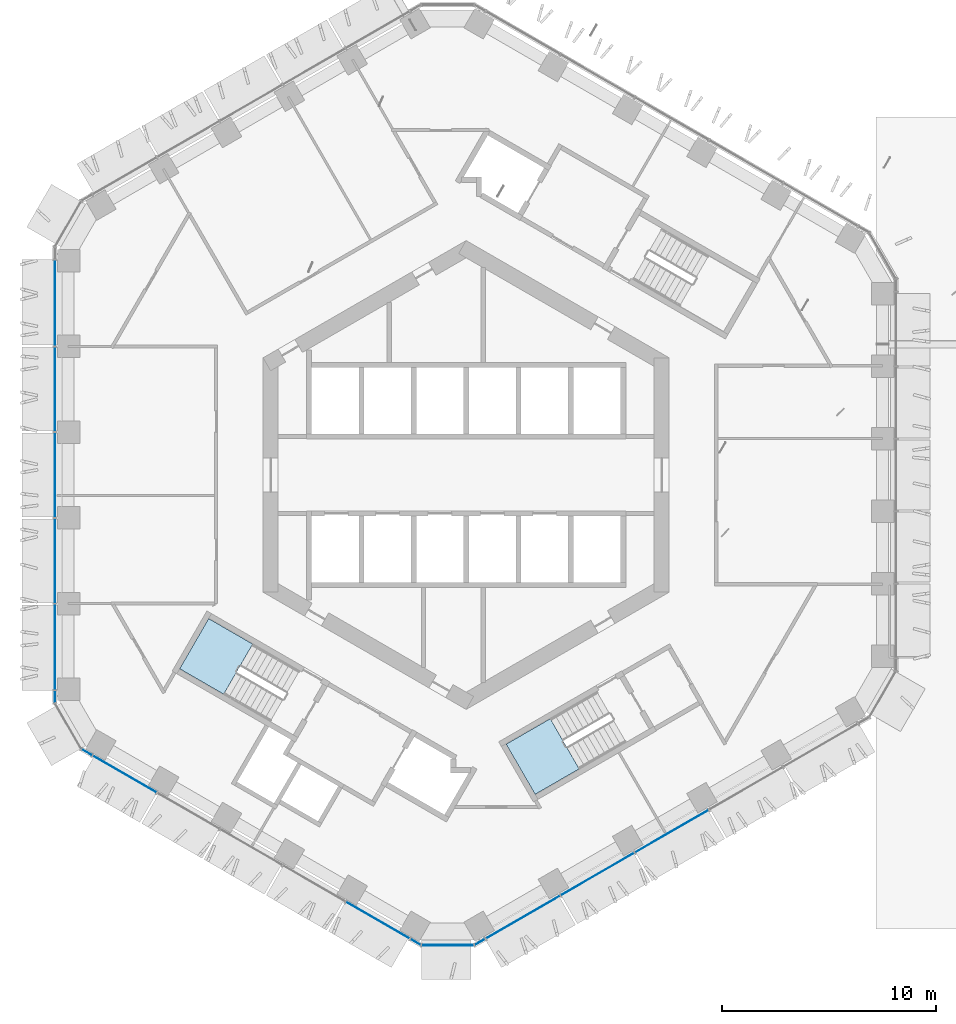
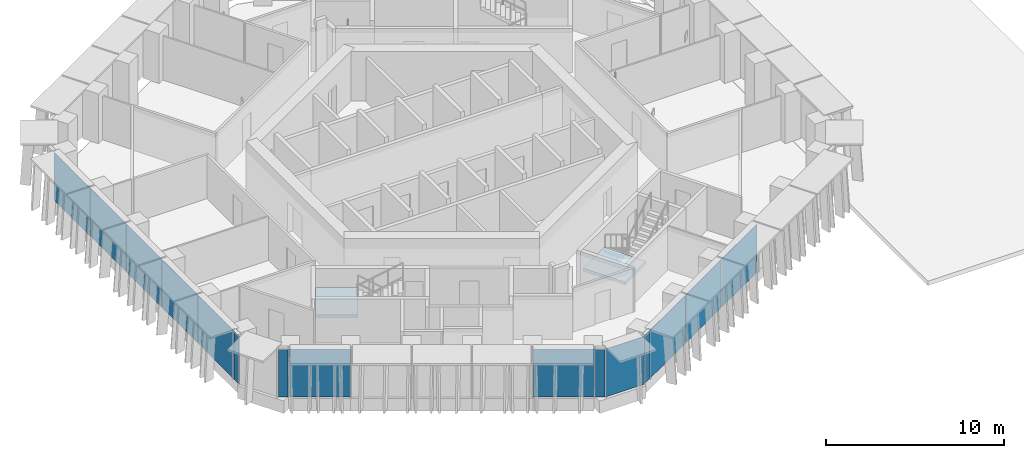
# One storey, part 9 of 25: 15 plates, 2 slabs, 7 elements without a shape of their own.
"""IFC4 building model written with IfcOpenShell, lengths in metres."""

from ifc_helpers import new_model, si_unit, direction, frame, origin, origin_2d, place, context, subcontext, project, spatial, polyline, rectangle, outline, extrude, material, layer, layer_set, type_object, element, aggregate, save


model = new_model("IFC4")

# Units and contexts
model_context = context("Model", 3, precision=1e-05, world=origin(), true_north=direction((0.0, 1.0)))
body_context = subcontext(model_context, "Body", "Model", "MODEL_VIEW")
ifc_project = project(units=[si_unit("LENGTHUNIT", "METRE"), si_unit("AREAUNIT", "SQUARE_METRE"), si_unit("VOLUMEUNIT", "CUBIC_METRE"), si_unit("PLANEANGLEUNIT", "RADIAN"), si_unit("MASSUNIT", "GRAM", prefix="KILO")], contexts=[model_context])

# Site, building, storey
site_placement = place(None, origin())
site = spatial("IfcSite", under=ifc_project, at=site_placement, CompositionType="ELEMENT")
building_placement = place(site_placement, origin())
building = spatial("IfcBuilding", under=site, at=building_placement, Name="Ayvan Gate Tower", CompositionType="ELEMENT")
storey_placement = place(building_placement, frame((0.0, 0.0, 132.5)))
storey = spatial("IfcBuildingStorey", under=building, at=storey_placement, Name="L35", CompositionType="ELEMENT", Elevation=132.5)

# Stair, slab
ifc_material_1 = material(Name="Concrete C40/50", Category="concrete")
stair_type = type_object("IfcStairType", Name="ST-EXIT", PredefinedType="HALF_TURN_STAIR", material=ifc_material_1)
stair_1_placement = place(storey_placement, origin())
stair_1 = element("IfcStair", 1, at=stair_1_placement, inside=storey, type_object=stair_type, Name="L35 Exit Stair S2", PredefinedType="HALF_TURN_STAIR")
ifc_layer_1 = layer(ifc_material_1, 0.199951171875)
ifc_layer_set_1 = layer_set([ifc_layer_1], Name="Concrete C40/50")
slab_type = type_object("IfcSlabType", Name="SL-LANDING-200", PredefinedType="LANDING", material=ifc_layer_set_1)
slab_1_placement = place(storey_placement, frame((0.0, 0.0, 1.5)))
slab_1 = element("IfcSlab", 2, at=slab_1_placement, type_object=slab_type, Name="STS2 landing 1", PredefinedType="LANDING", context=body_context, shape_type="SweptSolid", body=[
    extrude(outline(polyline([(-9.988525390625, -7.91064453125), (-12.049560546875, -6.720458984375), (-13.404541015625, -9.0673828125), (-11.343505859375, -10.257568359375), (-9.988525390625, -7.91064453125)])), origin(), (0.0, 0.0, 1.0), 0.199951171875),
])
aggregate(stair_1, [slab_1])

stair_2_placement = place(storey_placement, origin())
stair_2 = element("IfcStair", 3, at=stair_2_placement, inside=storey, type_object=stair_type, Name="L35 Exit Stair S3", PredefinedType="HALF_TURN_STAIR")
slab_2_placement = place(storey_placement, frame((0.0, 0.0, 1.5)))
slab_2 = element("IfcSlab", 4, at=slab_2_placement, type_object=slab_type, Name="STS3 landing 1", PredefinedType="LANDING", context=body_context, shape_type="SweptSolid", body=[
    extrude(outline(polyline([(3.93505859375, -11.405517578125), (1.873779296875, -12.595458984375), (3.228759765625, -14.9423828125), (5.2900390625, -13.75244140625), (3.93505859375, -11.405517578125)])), origin(), (0.0, 0.0, 1.0), 0.199951171875),
])
aggregate(stair_2, [slab_2])

# Curtain wall, plates
ifc_material_2 = material(Name="Bronze anodised aluminium", Category="aluminium")
ifc_layer_2 = layer(ifc_material_2, 0.199951171875)
ifc_layer_set_2 = layer_set([ifc_layer_2], Name="Bronze anodised aluminium")
curtain_wall_type_1 = type_object("IfcCurtainWallType", Name="Stick curtain wall CW-1", PredefinedType="NOTDEFINED", material=ifc_layer_set_2)
curtain_wall_1_placement = place(storey_placement, origin())
curtain_wall_1 = element("IfcCurtainWall", 5, at=curtain_wall_1_placement, inside=storey, type_object=curtain_wall_type_1, Name="Stick curtain wall CW-1 L35", PredefinedType="NOTDEFINED")
ifc_material_3 = material(Name="Clear low-iron laminated glass", Category="glass")
ifc_layer_3 = layer(ifc_material_3, 0.028076171875)
ifc_layer_set_3 = layer_set([ifc_layer_3], Name="Clear low-iron laminated glass")
plate_type_1 = type_object("IfcPlateType", Name="Stick curtain wall CW-1 glass panel", PredefinedType="CURTAIN_PANEL", material=ifc_layer_set_3)
plate_1_placement = place(storey_placement, frame((-19.248291015625, 8.05908203125, 0.0), z_axis=(0.0, 0.0, 1.0), x_axis=(0.0, -1.0, 0.0)))
plate_1 = element("IfcPlate", 6, at=plate_1_placement, type_object=plate_type_1, Name="CW-1 glass panel 1", PredefinedType="CURTAIN_PANEL", context=body_context, shape_type="SweptSolid", body=[
    extrude(rectangle(XDim=4.01806640625, YDim=0.028076171875, at=origin_2d()), origin(), (0.0, 0.0, 1.0), 3.280029296875),
])
plate_2_placement = place(storey_placement, frame((-19.248291015625, 4.013671875, 0.0), z_axis=(0.0, 0.0, 1.0), x_axis=(0.0, -1.0, 0.0)))
plate_2 = element("IfcPlate", 7, at=plate_2_placement, type_object=plate_type_1, Name="CW-1 glass panel 2", PredefinedType="CURTAIN_PANEL", context=body_context, shape_type="SweptSolid", body=[
    extrude(rectangle(XDim=3.952880859375, YDim=0.028076171875, at=origin_2d()), origin(), (0.0, 0.0, 1.0), 3.280029296875),
])
plate_3_placement = place(storey_placement, frame((-19.248291015625, 0.0, 0.0), z_axis=(0.0, 0.0, 1.0), x_axis=(0.0, -1.0, 0.0)))
plate_3 = element("IfcPlate", 8, at=plate_3_placement, type_object=plate_type_1, Name="CW-1 glass panel 3", PredefinedType="CURTAIN_PANEL", context=body_context, shape_type="SweptSolid", body=[
    extrude(rectangle(XDim=3.9541015625, YDim=0.028076171875, at=origin_2d()), origin(), (0.0, 0.0, 1.0), 3.280029296875),
])
plate_4_placement = place(storey_placement, frame((-19.248291015625, -4.013427734375, 0.0), z_axis=(0.0, 0.0, 1.0), x_axis=(0.0, -1.0, 0.0)))
plate_4 = element("IfcPlate", 9, at=plate_4_placement, type_object=plate_type_1, Name="CW-1 glass panel 4", PredefinedType="CURTAIN_PANEL", context=body_context, shape_type="SweptSolid", body=[
    extrude(rectangle(XDim=3.952880859375, YDim=0.028076171875, at=origin_2d()), origin(), (0.0, 0.0, 1.0), 3.280029296875),
])
plate_5_placement = place(storey_placement, frame((-19.248291015625, -8.05908203125, 0.0), z_axis=(0.0, 0.0, 1.0), x_axis=(0.0, -1.0, 0.0)))
plate_5 = element("IfcPlate", 10, at=plate_5_placement, type_object=plate_type_1, Name="CW-1 glass panel 5", PredefinedType="CURTAIN_PANEL", context=body_context, shape_type="SweptSolid", body=[
    extrude(rectangle(XDim=4.01806640625, YDim=0.028076171875, at=origin_2d()), origin(), (0.0, 0.0, 1.0), 3.280029296875),
])
aggregate(curtain_wall_1, [plate_1, plate_2, plate_3, plate_4, plate_5])

curtain_wall_2_placement = place(storey_placement, origin())
curtain_wall_2 = element("IfcCurtainWall", 11, at=curtain_wall_2_placement, inside=storey, type_object=curtain_wall_type_1, Name="Stick curtain wall CW-1 L35", PredefinedType="NOTDEFINED")
plate_6_placement = place(storey_placement, frame((-15.986328125, -13.991943359375, 0.0), z_axis=(0.0, 0.0, 1.0), x_axis=(0.866025403784, -0.5, 0.0)))
plate_6 = element("IfcPlate", 12, at=plate_6_placement, type_object=plate_type_1, Name="CW-1 glass panel 1", PredefinedType="CURTAIN_PANEL", context=body_context, shape_type="SweptSolid", body=[
    extrude(rectangle(XDim=3.451904296875, YDim=0.028076171875, at=origin_2d()), origin(), (0.0, 0.0, 1.0), 3.280029296875),
])
plate_7_placement = place(storey_placement, frame((-4.124267578125, -20.840576171875, 0.0), z_axis=(0.0, 0.0, 1.0), x_axis=(0.866025403784, -0.5, 0.0)))
plate_7 = element("IfcPlate", 13, at=plate_7_placement, type_object=plate_type_1, Name="CW-1 glass panel 5", PredefinedType="CURTAIN_PANEL", context=body_context, shape_type="SweptSolid", body=[
    extrude(rectangle(XDim=3.4521484375, YDim=0.028076171875, at=origin_2d()), origin(), (0.0, 0.0, 1.0), 3.280029296875),
])
aggregate(curtain_wall_2, [plate_6, plate_7])

curtain_wall_3_placement = place(storey_placement, origin())
curtain_wall_3 = element("IfcCurtainWall", 14, at=curtain_wall_3_placement, inside=storey, type_object=curtain_wall_type_1, Name="Stick curtain wall CW-1 L35", PredefinedType="NOTDEFINED")
plate_8_placement = place(storey_placement, frame((2.644775390625, -20.698974609375, 0.0), z_axis=(0.0, 0.0, 1.0), x_axis=(0.866025403784, 0.5, 0.0)))
plate_8 = element("IfcPlate", 15, at=plate_8_placement, type_object=plate_type_1, Name="CW-1 glass panel 1", PredefinedType="CURTAIN_PANEL", context=body_context, shape_type="SweptSolid", body=[
    extrude(rectangle(XDim=4.01806640625, YDim=0.028076171875, at=origin_2d()), origin(), (0.0, 0.0, 1.0), 3.280029296875),
])
plate_9_placement = place(storey_placement, frame((6.148193359375, -18.67626953125, 0.0), z_axis=(0.0, 0.0, 1.0), x_axis=(0.866025403784, 0.5, 0.0)))
plate_9 = element("IfcPlate", 16, at=plate_9_placement, type_object=plate_type_1, Name="CW-1 glass panel 2", PredefinedType="CURTAIN_PANEL", context=body_context, shape_type="SweptSolid", body=[
    extrude(rectangle(XDim=3.952880859375, YDim=0.028076171875, at=origin_2d()), origin(), (0.0, 0.0, 1.0), 3.280029296875),
])
plate_10_placement = place(storey_placement, frame((9.6240234375, -16.66943359375, 0.0), z_axis=(0.0, 0.0, 1.0), x_axis=(0.866025403784, 0.5, 0.0)))
plate_10 = element("IfcPlate", 17, at=plate_10_placement, type_object=plate_type_1, Name="CW-1 glass panel 3", PredefinedType="CURTAIN_PANEL", context=body_context, shape_type="SweptSolid", body=[
    extrude(rectangle(XDim=3.9541015625, YDim=0.028076171875, at=origin_2d()), origin(), (0.0, 0.0, 1.0), 3.280029296875),
])
aggregate(curtain_wall_3, [plate_8, plate_9, plate_10])

ifc_layer_4 = layer(ifc_material_2, 0.199951171875)
ifc_layer_set_4 = layer_set([ifc_layer_4], Name="Bronze anodised aluminium")
curtain_wall_type_2 = type_object("IfcCurtainWallType", Name="Stick curtain wall CW-6", PredefinedType="NOTDEFINED", material=ifc_layer_set_4)
curtain_wall_4_placement = place(storey_placement, origin())
curtain_wall_4 = element("IfcCurtainWall", 18, at=curtain_wall_4_placement, inside=storey, type_object=curtain_wall_type_2, Name="Stick curtain wall CW-6 L35", PredefinedType="NOTDEFINED")
ifc_layer_5 = layer(ifc_material_3, 0.028076171875)
ifc_layer_set_5 = layer_set([ifc_layer_5], Name="Clear low-iron laminated glass")
plate_type_2 = type_object("IfcPlateType", Name="Stick curtain wall CW-6 glass panel", PredefinedType="CURTAIN_PANEL", material=ifc_layer_set_5)
plate_11_placement = place(storey_placement, frame((-19.248291015625, -10.373046875, 0.0), z_axis=(0.0, 0.0, 1.0), x_axis=(0.0, -1.0, 0.0)))
plate_11 = element("IfcPlate", 19, at=plate_11_placement, type_object=plate_type_2, Name="CW-6 glass panel 1", PredefinedType="CURTAIN_PANEL", context=body_context, shape_type="SweptSolid", body=[
    extrude(rectangle(XDim=0.550048828125, YDim=0.028076171875, at=origin_2d()), origin(), (0.0, 0.0, 1.0), 3.280029296875),
])
plate_12_placement = place(storey_placement, frame((-17.7451171875, -12.9765625, 0.0), z_axis=(0.0, 0.0, 1.0), x_axis=(0.866025403784, -0.5, 0.0)))
plate_12 = element("IfcPlate", 20, at=plate_12_placement, type_object=plate_type_2, Name="CW-6 glass panel 3", PredefinedType="CURTAIN_PANEL", context=body_context, shape_type="SweptSolid", body=[
    extrude(rectangle(XDim=0.550048828125, YDim=0.028076171875, at=origin_2d()), origin(), (0.0, 0.0, 1.0), 3.280029296875),
])
aggregate(curtain_wall_4, [plate_11, plate_12])

curtain_wall_5_placement = place(storey_placement, origin())
curtain_wall_5 = element("IfcCurtainWall", 21, at=curtain_wall_5_placement, inside=storey, type_object=curtain_wall_type_2, Name="Stick curtain wall CW-6 L35", PredefinedType="NOTDEFINED")
plate_13_placement = place(storey_placement, frame((-2.365478515625, -21.85595703125, 0.0), z_axis=(0.0, 0.0, 1.0), x_axis=(0.866025403784, -0.5, 0.0)))
plate_13 = element("IfcPlate", 22, at=plate_13_placement, type_object=plate_type_2, Name="CW-6 glass panel 1", PredefinedType="CURTAIN_PANEL", context=body_context, shape_type="SweptSolid", body=[
    extrude(rectangle(XDim=0.550048828125, YDim=0.028076171875, at=origin_2d()), origin(), (0.0, 0.0, 1.0), 3.280029296875),
])
plate_14_placement = place(storey_placement, frame((-0.8623046875, -22.006103515625, 0.0), z_axis=(0.0, 0.0, 1.0), x_axis=(1.0, 0.0, 0.0)))
plate_14 = element("IfcPlate", 23, at=plate_14_placement, type_object=plate_type_2, Name="CW-6 glass panel 2", PredefinedType="CURTAIN_PANEL", context=body_context, shape_type="SweptSolid", body=[
    extrude(rectangle(XDim=2.4365234375, YDim=0.028076171875, at=origin_2d()), origin(), (0.0, 0.0, 1.0), 3.280029296875),
])
plate_15_placement = place(storey_placement, frame((0.640869140625, -21.85595703125, 0.0), z_axis=(0.0, 0.0, 1.0), x_axis=(0.866025403784, 0.5, 0.0)))
plate_15 = element("IfcPlate", 24, at=plate_15_placement, type_object=plate_type_2, Name="CW-6 glass panel 3", PredefinedType="CURTAIN_PANEL", context=body_context, shape_type="SweptSolid", body=[
    extrude(rectangle(XDim=0.550048828125, YDim=0.028076171875, at=origin_2d()), origin(), (0.0, 0.0, 1.0), 3.280029296875),
])
aggregate(curtain_wall_5, [plate_13, plate_14, plate_15])

save(model, "model.ifc")
